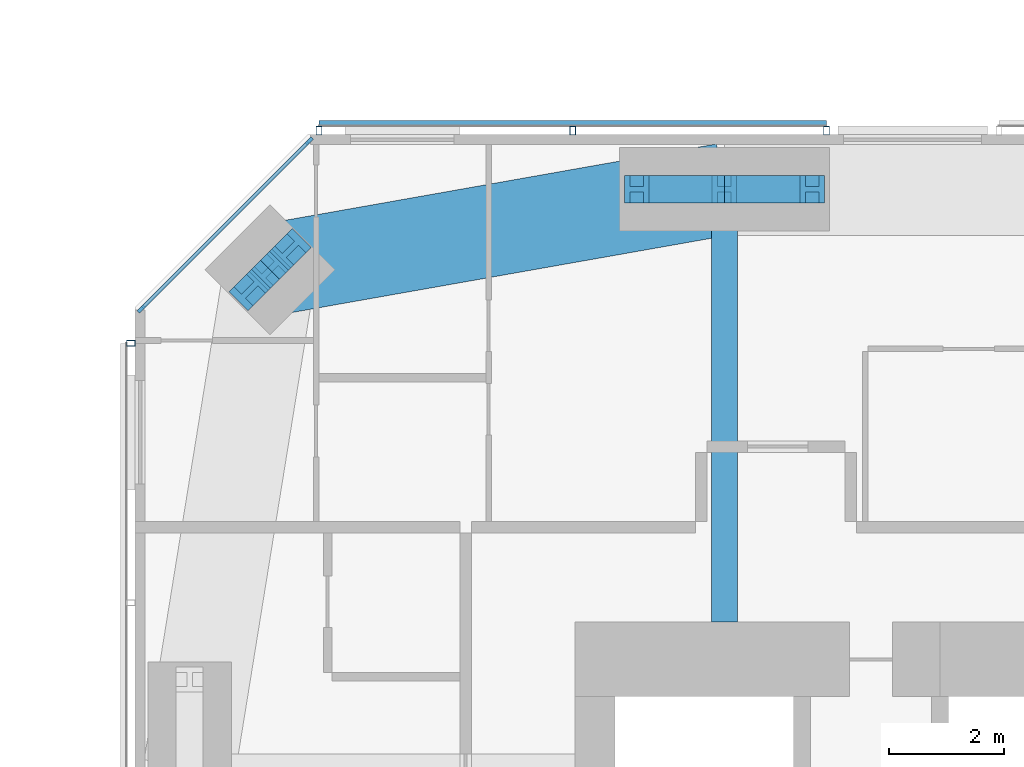
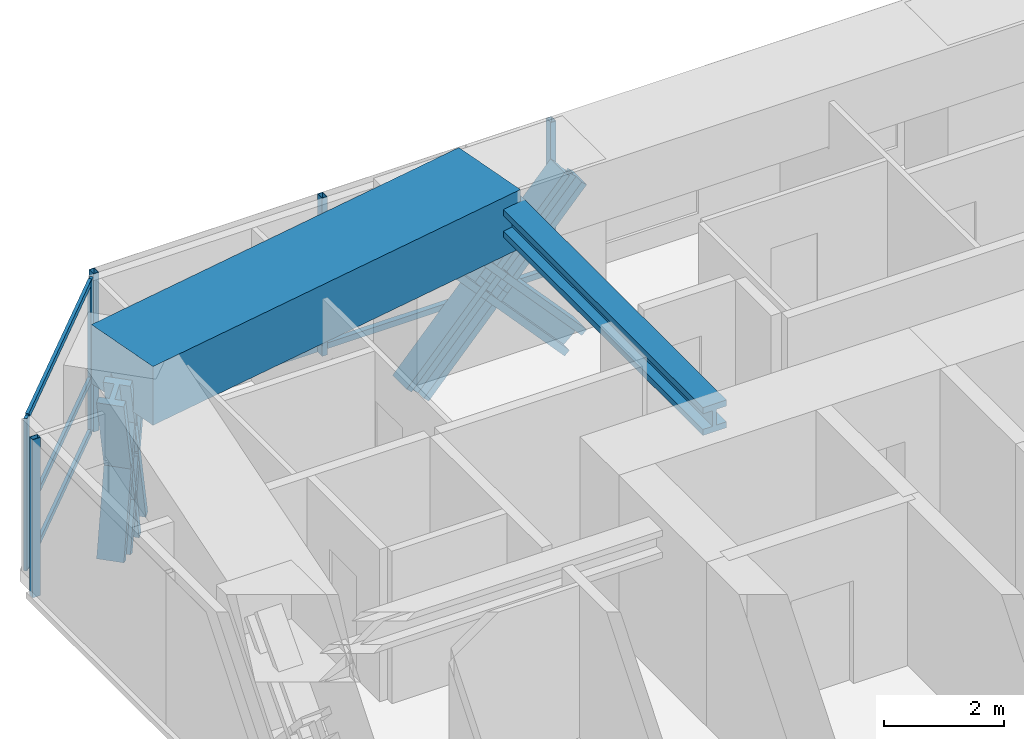
# One storey, part 10 of 23: 18 members, 2 beams, 3 elements without a shape of their own.
"""IFC4 building model written with IfcOpenShell, lengths in metres."""

from ifc_helpers import new_model, si_unit, direction, frame, origin, origin_2d, place, context, subcontext, project, spatial, rectangle, hollow_rectangle, i_section, extrude, material, material_profile, profile_set, type_object, element, aggregate, save


model = new_model("IFC4")

# Units and contexts
model_context = context("Model", 3, precision=1e-05, world=origin(), true_north=direction((0.0, 1.0)))
body_context = subcontext(model_context, "Body", "Model", "MODEL_VIEW")
ifc_project = project(units=[si_unit("LENGTHUNIT", "METRE"), si_unit("AREAUNIT", "SQUARE_METRE"), si_unit("VOLUMEUNIT", "CUBIC_METRE"), si_unit("PLANEANGLEUNIT", "RADIAN"), si_unit("MASSUNIT", "GRAM", prefix="KILO")], contexts=[model_context])

# Site, building, storey
site_placement = place(None, origin())
site = spatial("IfcSite", under=ifc_project, at=site_placement, CompositionType="ELEMENT")
building_placement = place(site_placement, origin())
building = spatial("IfcBuilding", under=site, at=building_placement, Name="Jalousie Tower", CompositionType="ELEMENT")
storey_placement = place(building_placement, frame((0.0, 0.0, 197.89990234375)))
storey = spatial("IfcBuildingStorey", under=building, at=storey_placement, Name="L54", CompositionType="ELEMENT", Elevation=197.89990234375)

# Curtain wall, members
ifc_material_1 = material(Name="Aluminium curtain wall", Category="aluminium")
curtain_wall_type_1 = type_object("IfcCurtainWallType", Name="CORNER WINDOW WALL", PredefinedType="USERDEFINED", material=ifc_material_1)
curtain_wall_1_placement = place(storey_placement, origin())
curtain_wall_1 = element("IfcCurtainWall", 1, at=curtain_wall_1_placement, inside=storey, type_object=curtain_wall_type_1, Name="Corner Window Wall L54 6", ObjectType="CORNER WINDOW WALL", PredefinedType="USERDEFINED")
ifc_material_2 = material(Name="Aluminium mullion", Category="aluminium")
ifc_material_profile_1 = material_profile(ifc_material_2, rectangle(XDim=0.06005859375, YDim=0.14990234375, at=origin_2d()), Name="MULLION 60x150")
ifc_profile_set_1 = profile_set([ifc_material_profile_1], Name="Aluminium mullion")
member_type_1 = type_object("IfcMemberType", Name="CORNER WINDOW WALL MULLION", PredefinedType="MULLION", material=ifc_profile_set_1)
member_1_placement = place(storey_placement, frame((15.030029296875, 35.891357421875, 0.0), z_axis=(0.0, 0.0, 1.0), x_axis=(0.707106781187, -0.707106781187, 0.0)))
member_1 = element("IfcMember", 2, at=member_1_placement, type_object=member_type_1, Name="CW-C mullion 1", PredefinedType="MULLION", context=body_context, shape_type="SweptSolid", body=[
    extrude(rectangle(XDim=0.06005859375, YDim=0.14990234375, at=origin_2d()), origin(), (0.0, 0.0, 1.0), 3.110107421875),
])
member_2_placement = place(storey_placement, frame((12.108642578125, 32.969970703125, 0.0), z_axis=(0.0, 0.0, 1.0), x_axis=(0.707106781187, -0.707106781187, 0.0)))
member_2 = element("IfcMember", 3, at=member_2_placement, type_object=member_type_1, Name="CW-C mullion 2", PredefinedType="MULLION", context=body_context, shape_type="SweptSolid", body=[
    extrude(rectangle(XDim=0.06005859375, YDim=0.14990234375, at=origin_2d()), origin(), (0.0, 0.0, 1.0), 3.110107421875),
])
ifc_material_3 = material(Name="Aluminium transom", Category="aluminium")
ifc_material_profile_2 = material_profile(ifc_material_3, rectangle(XDim=0.06005859375, YDim=0.1201171875, at=origin_2d()), Name="TRANSOM 60x120")
ifc_profile_set_2 = profile_set([ifc_material_profile_2], Name="Aluminium transom")
member_type_2 = type_object("IfcMemberType", Name="CORNER WINDOW WALL TRANSOM", PredefinedType="USERDEFINED", material=ifc_profile_set_2)
member_3_placement = place(storey_placement, frame((15.0087890625, 35.8701171875, 0.030029296875), z_axis=(-0.707106781187, -0.707106781187, 0.0), x_axis=(0.707106781187, -0.707106781187, 0.0)))
member_3 = element("IfcMember", 4, at=member_3_placement, type_object=member_type_2, Name="CW-C transom 1.1", ObjectType="TRANSOM", PredefinedType="USERDEFINED", context=body_context, shape_type="SweptSolid", body=[
    extrude(rectangle(XDim=0.06005859375, YDim=0.1201171875, at=origin_2d()), origin(), (0.0, 0.0, 1.0), 4.0712890625),
])
member_4_placement = place(storey_placement, frame((15.0087890625, 35.8701171875, 1.10009765625), z_axis=(-0.707106781187, -0.707106781187, 0.0), x_axis=(0.707106781187, -0.707106781187, 0.0)))
member_4 = element("IfcMember", 5, at=member_4_placement, type_object=member_type_2, Name="CW-C transom 1.2", ObjectType="TRANSOM", PredefinedType="USERDEFINED", context=body_context, shape_type="SweptSolid", body=[
    extrude(rectangle(XDim=0.06005859375, YDim=0.1201171875, at=origin_2d()), origin(), (0.0, 0.0, 1.0), 4.0712890625),
])
member_5_placement = place(storey_placement, frame((15.0087890625, 35.8701171875, 3.080078125), z_axis=(-0.707106781187, -0.707106781187, 0.0), x_axis=(0.707106781187, -0.707106781187, 0.0)))
member_5 = element("IfcMember", 6, at=member_5_placement, type_object=member_type_2, Name="CW-C transom 1.3", ObjectType="TRANSOM", PredefinedType="USERDEFINED", context=body_context, shape_type="SweptSolid", body=[
    extrude(rectangle(XDim=0.06005859375, YDim=0.1201171875, at=origin_2d()), origin(), (0.0, 0.0, 1.0), 4.0712890625),
])
aggregate(curtain_wall_1, [member_1, member_2, member_3, member_4, member_5])

# Beam
ifc_material_4 = material(Name="Steel ASTM A992 Grade 50", Category="steel")
ifc_material_profile_3 = material_profile(ifc_material_4, i_section(OverallWidth=0.45458984375, OverallDepth=0.569091796875, WebThickness=0.077880859375, FlangeThickness=0.124755859375, at=origin_2d()), Name="W14X730")
ifc_profile_set_3 = profile_set([ifc_material_profile_3], Name="Steel ASTM A992 Grade 50")
beam_type_1 = type_object("IfcBeamType", Name="LEAN COLLECTOR W14X730", PredefinedType="BEAM", material=ifc_profile_set_3)
beam_1_placement = place(storey_placement, frame((22.25, 35.050048828125, 2.82568359375), z_axis=(0.0, -1.0, 0.0), x_axis=(1.0, 0.0, 0.0)))
element("IfcBeam", 7, at=beam_1_placement, inside=storey, type_object=beam_type_1, Name="Lean collector under L55", PredefinedType="BEAM", context=body_context, shape_type="SweptSolid", body=[
    extrude(i_section(OverallWidth=0.45458984375, OverallDepth=0.569091796875, WebThickness=0.077880859375, FlangeThickness=0.124755859375, at=origin_2d()), origin(), (0.0, 0.0, 1.0), 7.525146484375),
])

# Members
ifc_material_5 = material(Name="Steel ASTM A992 Grade 50", Category="steel")
ifc_material_profile_4 = material_profile(ifc_material_5, i_section(OverallWidth=0.472412109375, OverallDepth=0.5791015625, WebThickness=0.094970703125, FlangeThickness=0.1298828125, at=origin_2d()), Name="W14X808")
ifc_profile_set_4 = profile_set([ifc_material_profile_4], Name="Steel ASTM A992 Grade 50")
member_type_3 = type_object("IfcMemberType", Name="PERIMETER BRACE W14X808", PredefinedType="BRACE", material=ifc_profile_set_4)
for number, where, z_axis, x_axis, name in (
    (8, (20.72509765625, 35.050048828125, -0.599853515625), (0.673187629365, 0.0, 0.739471713908), (0.0, 1.0, 0.0), "Perimeter brace 11 L54 part 1"),
    (9, (22.25, 35.050048828125, 1.0751953125), (0.673241284601, 0.0, 0.739422864611), (0.0, 1.0, 0.0), "Perimeter brace 11 L54 part 2"),
    (10, (23.77490234375, 35.050048828125, -0.599853515625), (-0.673187629365, 0.0, 0.739471713908), (0.0, -1.0, 0.0), "Perimeter brace 11 L54 part 3"),
    (11, (22.25, 35.050048828125, 1.0751953125), (-0.673241284601, 0.0, 0.739422864611), (0.0, -1.0, 0.0), "Perimeter brace 11 L54 part 4"),
):
    element("IfcMember", number, at=place(storey_placement, frame(where, z_axis=z_axis, x_axis=x_axis)), inside=storey, type_object=member_type_3, Name=name, PredefinedType="BRACE", context=body_context, shape_type="SweptSolid", body=[
        extrude(i_section(OverallWidth=0.472412109375, OverallDepth=0.5791015625, WebThickness=0.094970703125, FlangeThickness=0.1298828125, at=origin_2d()), origin(), (0.0, 0.0, 1.0), 2.26513671875),
    ])
member_6_placement = place(storey_placement, frame((14.7021484375, 34.0048828125, -0.599853515625), z_axis=(-0.202372069365, -0.202092742837, 0.958229653493), x_axis=(0.706618279267, -0.707594945859, 0.0)))
element("IfcMember", 12, at=member_6_placement, inside=storey, type_object=member_type_3, Name="Perimeter brace 12 L54 part 1", PredefinedType="BRACE", context=body_context, shape_type="SweptSolid", body=[
    extrude(i_section(OverallWidth=0.472412109375, OverallDepth=0.5791015625, WebThickness=0.094970703125, FlangeThickness=0.1298828125, at=origin_2d()), origin(), (0.0, 0.0, 1.0), 1.748046875),
])
member_7_placement = place(storey_placement, frame((14.348388671875, 33.651611328125, 1.0751953125), z_axis=(-0.202119792263, -0.202399156177, 0.958218227313), x_axis=(0.707594945859, -0.706618279267, 0.0)))
element("IfcMember", 13, at=member_7_placement, inside=storey, type_object=member_type_3, Name="Perimeter brace 12 L54 part 2", PredefinedType="BRACE", context=body_context, shape_type="SweptSolid", body=[
    extrude(i_section(OverallWidth=0.472412109375, OverallDepth=0.5791015625, WebThickness=0.094970703125, FlangeThickness=0.1298828125, at=origin_2d()), origin(), (0.0, 0.0, 1.0), 1.747802734375),
])
member_8_placement = place(storey_placement, frame((13.9951171875, 33.2978515625, -0.599853515625), z_axis=(0.202092742837, 0.202372069365, 0.958229653493), x_axis=(-0.707594945859, 0.706618279267, 0.0)))
element("IfcMember", 14, at=member_8_placement, inside=storey, type_object=member_type_3, Name="Perimeter brace 12 L54 part 3", PredefinedType="BRACE", context=body_context, shape_type="SweptSolid", body=[
    extrude(i_section(OverallWidth=0.472412109375, OverallDepth=0.5791015625, WebThickness=0.094970703125, FlangeThickness=0.1298828125, at=origin_2d()), origin(), (0.0, 0.0, 1.0), 1.748046875),
])
member_9_placement = place(storey_placement, frame((14.348388671875, 33.651611328125, 1.0751953125), z_axis=(0.202399156177, 0.202119792263, 0.958218227313), x_axis=(-0.706618279267, 0.707594945859, 0.0)))
element("IfcMember", 15, at=member_9_placement, inside=storey, type_object=member_type_3, Name="Perimeter brace 12 L54 part 4", PredefinedType="BRACE", context=body_context, shape_type="SweptSolid", body=[
    extrude(i_section(OverallWidth=0.472412109375, OverallDepth=0.5791015625, WebThickness=0.094970703125, FlangeThickness=0.1298828125, at=origin_2d()), origin(), (0.0, 0.0, 1.0), 1.747802734375),
])

# Beam
ifc_material_6 = material(Name="Concrete f'c 40 MPa", Category="concrete")
ifc_material_profile_5 = material_profile(ifc_material_6, rectangle(XDim=1.60009765625, YDim=1.199951171875, at=origin_2d()), Name="RC 1600x1200")
ifc_profile_set_5 = profile_set([ifc_material_profile_5], Name="Concrete f'c 40 MPa")
beam_type_2 = type_object("IfcBeamType", Name="RC BEAM 1600x1200", PredefinedType="BEAM", material=ifc_profile_set_5)
beam_2_placement = place(storey_placement, frame((22.25, 35.050048828125, 2.75), z_axis=(-0.984697370688, -0.174273027632, 0.0), x_axis=(0.174273027632, -0.984697370688, 0.0)))
element("IfcBeam", 16, at=beam_2_placement, inside=storey, type_object=beam_type_2, Name="Edge band beam 11-12 under L55", PredefinedType="BEAM", context=body_context, shape_type="SweptSolid", body=[
    extrude(rectangle(XDim=1.60009765625, YDim=1.199951171875, at=origin_2d()), origin(), (0.0, 0.0, 1.0), 8.0244140625),
])

# Curtain wall, members
ifc_material_7 = material(Name="Perforated aluminium sheet", Category="aluminium")
curtain_wall_type_2 = type_object("IfcCurtainWallType", Name="SOLAR SCREEN SS-1", PredefinedType="USERDEFINED", material=ifc_material_7)
curtain_wall_2_placement = place(storey_placement, origin())
curtain_wall_2 = element("IfcCurtainWall", 17, at=curtain_wall_2_placement, inside=storey, type_object=curtain_wall_type_2, Name="Solar screen L54", ObjectType="SOLAR SCREEN SS-1", PredefinedType="USERDEFINED")
ifc_material_8 = material(Name="Steel ASTM A500 Grade C", Category="steel")
ifc_material_profile_6 = material_profile(ifc_material_8, hollow_rectangle(XDim=0.1015625, YDim=0.15234375, WallThickness=0.00634765625, at=origin_2d()), Name="HSS6X4X1/4")
ifc_profile_set_6 = profile_set([ifc_material_profile_6], Name="Steel ASTM A500 Grade C")
member_type_4 = type_object("IfcMemberType", Name="SOLAR SCREEN SS-1 MULLION", PredefinedType="MULLION", material=ifc_profile_set_6)
member_10_placement = place(storey_placement, frame((24.02490234375, 36.0712890625, -0.119873046875), z_axis=(0.0, 0.0, 1.0), x_axis=(-1.0, 0.0, 0.0)))
member_10 = element("IfcMember", 18, at=member_10_placement, type_object=member_type_4, Name="SS1 post 1", PredefinedType="MULLION", context=body_context, shape_type="SweptSolid", body=[
    extrude(hollow_rectangle(XDim=0.1015625, YDim=0.15234375, WallThickness=0.00634765625, at=origin_2d()), origin(), (0.0, 0.0, 1.0), 3.22998046875),
])
member_11_placement = place(storey_placement, frame((19.612548828125, 36.0712890625, -0.119873046875), z_axis=(0.0, 0.0, 1.0), x_axis=(-1.0, 0.0, 0.0)))
member_11 = element("IfcMember", 19, at=member_11_placement, type_object=member_type_4, Name="SS1 post 2", PredefinedType="MULLION", context=body_context, shape_type="SweptSolid", body=[
    extrude(hollow_rectangle(XDim=0.1015625, YDim=0.15234375, WallThickness=0.00634765625, at=origin_2d()), origin(), (0.0, 0.0, 1.0), 3.22998046875),
])
member_12_placement = place(storey_placement, frame((15.199951171875, 36.0712890625, -0.119873046875), z_axis=(0.0, 0.0, 1.0), x_axis=(-1.0, 0.0, 0.0)))
member_12 = element("IfcMember", 20, at=member_12_placement, type_object=member_type_4, Name="SS1 post 3", PredefinedType="MULLION", context=body_context, shape_type="SweptSolid", body=[
    extrude(hollow_rectangle(XDim=0.1015625, YDim=0.15234375, WallThickness=0.00634765625, at=origin_2d()), origin(), (0.0, 0.0, 1.0), 3.22998046875),
])

# Curtain wall, member
curtain_wall_3_placement = place(storey_placement, origin())
curtain_wall_3 = element("IfcCurtainWall", 21, at=curtain_wall_3_placement, inside=storey, type_object=curtain_wall_type_2, Name="Solar screen L54", ObjectType="SOLAR SCREEN SS-1", PredefinedType="USERDEFINED")
member_13_placement = place(storey_placement, frame((11.9287109375, 32.3701171875, -0.119873046875), z_axis=(0.0, 0.0, 1.0), x_axis=(0.0, -1.0, 0.0)))
member_13 = element("IfcMember", 22, at=member_13_placement, type_object=member_type_4, Name="SS1 post 1", PredefinedType="MULLION", context=body_context, shape_type="SweptSolid", body=[
    extrude(hollow_rectangle(XDim=0.1015625, YDim=0.15234375, WallThickness=0.00634765625, at=origin_2d()), origin(), (0.0, 0.0, 1.0), 3.22998046875),
])
aggregate(curtain_wall_3, [member_13])

# Member
ifc_material_9 = material(Name="Extruded aluminium screen rail", Category="aluminium")
ifc_material_profile_7 = material_profile(ifc_material_9, rectangle(XDim=0.1015625, YDim=0.1201171875, at=origin_2d()), Name="RAIL 102x120")
ifc_profile_set_7 = profile_set([ifc_material_profile_7], Name="Extruded aluminium screen rail")
member_type_5 = type_object("IfcMemberType", Name="SOLAR SCREEN SS-1 TRANSOM", PredefinedType="USERDEFINED", material=ifc_profile_set_7)
member_14_placement = place(storey_placement, frame((24.02490234375, 36.1982421875, -0.059814453125), z_axis=(-1.0, 0.0, 0.0), x_axis=(0.0, -1.0, 0.0)))
member_14 = element("IfcMember", 23, at=member_14_placement, type_object=member_type_5, Name="SS1 rail", ObjectType="TRANSOM", PredefinedType="USERDEFINED", context=body_context, shape_type="SweptSolid", body=[
    extrude(rectangle(XDim=0.1015625, YDim=0.1201171875, at=origin_2d()), origin(), (0.0, 0.0, 1.0), 8.824951171875),
])

aggregate(curtain_wall_2, [member_10, member_11, member_12, member_14])

save(model, "model.ifc")
